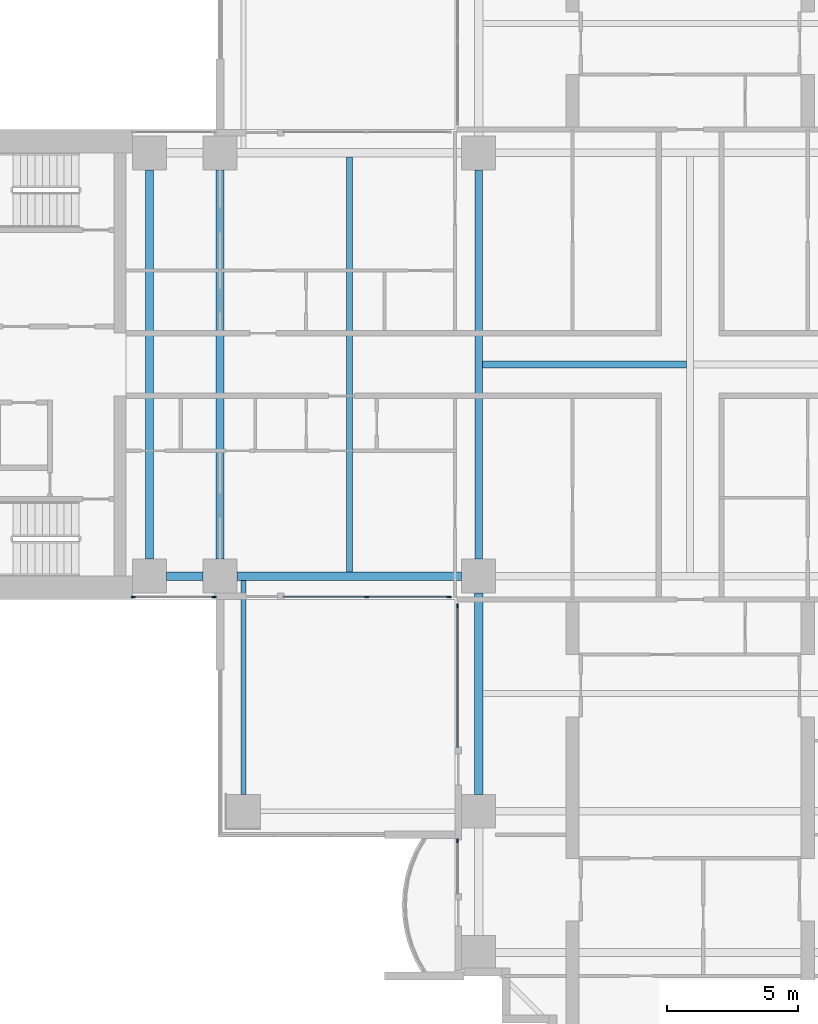
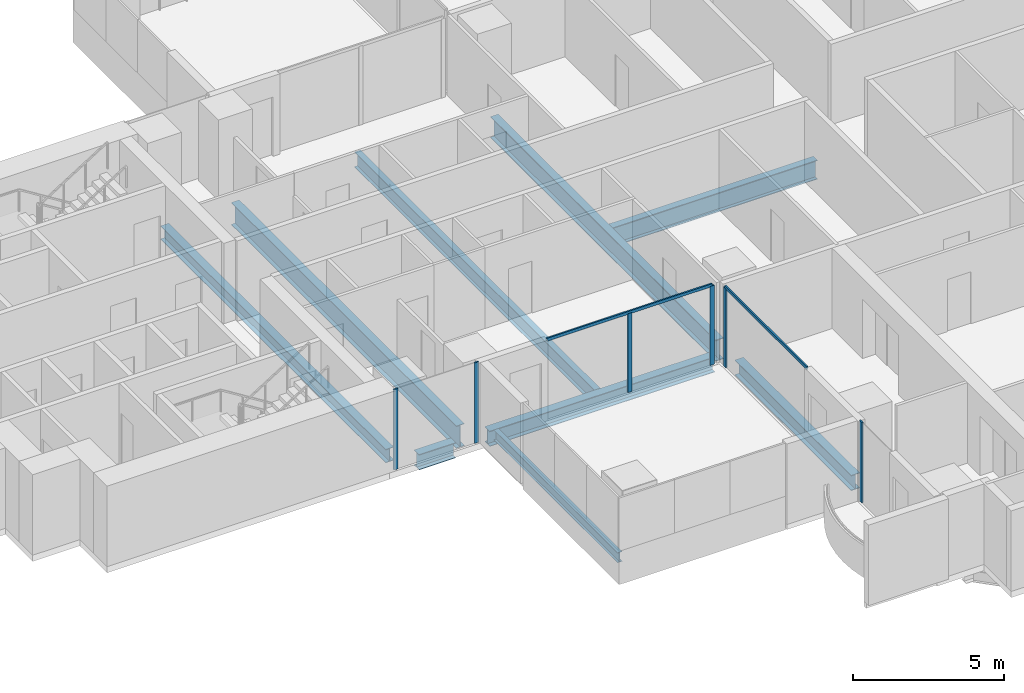
# One storey, part 2 of 20: 9 beams, 8 members, 4 elements without a shape of their own.
"""IFC4 building model written with IfcOpenShell, lengths in metres."""

from ifc_helpers import new_model, si_unit, direction, frame, origin, origin_2d, place, context, subcontext, project, spatial, rectangle, i_section, extrude, material, material_profile, profile_set, type_object, element, aggregate, save


model = new_model("IFC4")

# Units and contexts
model_context = context("Model", 3, precision=1e-05, world=origin(), true_north=direction((0.0, 1.0)))
body_context = subcontext(model_context, "Body", "Model", "MODEL_VIEW")
ifc_project = project(units=[si_unit("LENGTHUNIT", "METRE"), si_unit("AREAUNIT", "SQUARE_METRE"), si_unit("VOLUMEUNIT", "CUBIC_METRE"), si_unit("PLANEANGLEUNIT", "RADIAN"), si_unit("MASSUNIT", "GRAM", prefix="KILO")], contexts=[model_context])

# Site, building, storey
site_placement = place(None, origin())
site = spatial("IfcSite", under=ifc_project, at=site_placement, CompositionType="ELEMENT")
building_placement = place(site_placement, origin())
building = spatial("IfcBuilding", under=site, at=building_placement, Name="Perihelion Cross Residences", CompositionType="ELEMENT")
storey_placement = place(building_placement, frame((0.0, 0.0, 78.5)))
storey = spatial("IfcBuildingStorey", under=building, at=storey_placement, Name="L17", CompositionType="ELEMENT", Elevation=78.5)

# Curtain wall, members
ifc_material_1 = material(Name="Bronze anodised aluminium, tinted glazing", Category="aluminium")
curtain_wall_type = type_object("IfcCurtainWallType", Name="CW1", PredefinedType="NOTDEFINED", material=ifc_material_1)
curtain_wall_1_placement = place(storey_placement, origin())
curtain_wall_1 = element("IfcCurtainWall", 1, at=curtain_wall_1_placement, inside=storey, type_object=curtain_wall_type, Name="Curtain wall CW1 L17 west side south bay 1", PredefinedType="NOTDEFINED")
ifc_material_2 = material(Name="Bronze anodised aluminium", Category="aluminium")
ifc_material_profile_1 = material_profile(ifc_material_2, rectangle(XDim=0.06005859375, YDim=0.159912109375, at=origin_2d()), Name="CW1 mullion")
ifc_profile_set_1 = profile_set([ifc_material_profile_1], Name="Bronze anodised aluminium")
member_type_1 = type_object("IfcMemberType", Name="CW1 mullion", PredefinedType="MULLION", material=ifc_profile_set_1)
member_1_placement = place(storey_placement, frame((-21.320068359375, -8.89990234375, 0.0), z_axis=(0.0, 0.0, 1.0), x_axis=(0.0, 1.0, 0.0)))
member_1 = element("IfcMember", 2, at=member_1_placement, type_object=member_type_1, Name="CW1 mullion 1", PredefinedType="MULLION", context=body_context, shape_type="SweptSolid", body=[
    extrude(rectangle(XDim=0.06005859375, YDim=0.159912109375, at=origin_2d()), origin(), (0.0, 0.0, 1.0), 3.25),
])
member_2_placement = place(storey_placement, frame((-18.22998046875, -8.89990234375, 0.0), z_axis=(0.0, 0.0, 1.0), x_axis=(0.0, 1.0, 0.0)))
member_2 = element("IfcMember", 3, at=member_2_placement, type_object=member_type_1, Name="CW1 mullion 2", PredefinedType="MULLION", context=body_context, shape_type="SweptSolid", body=[
    extrude(rectangle(XDim=0.06005859375, YDim=0.159912109375, at=origin_2d()), origin(), (0.0, 0.0, 1.0), 3.25),
])
aggregate(curtain_wall_1, [member_1, member_2])

curtain_wall_2_placement = place(storey_placement, origin())
curtain_wall_2 = element("IfcCurtainWall", 4, at=curtain_wall_2_placement, inside=storey, type_object=curtain_wall_type, Name="Curtain wall CW1 L17 west side south bay 2", PredefinedType="NOTDEFINED")
member_3_placement = place(storey_placement, frame((-12.375, -8.89990234375, 0.0), z_axis=(0.0, 0.0, 1.0), x_axis=(0.0, 1.0, 0.0)))
member_3 = element("IfcMember", 5, at=member_3_placement, type_object=member_type_1, Name="CW1 mullion 2", PredefinedType="MULLION", context=body_context, shape_type="SweptSolid", body=[
    extrude(rectangle(XDim=0.06005859375, YDim=0.159912109375, at=origin_2d()), origin(), (0.0, 0.0, 1.0), 3.18994140625),
])
member_4_placement = place(storey_placement, frame((-9.22998046875, -8.89990234375, 0.0), z_axis=(0.0, 0.0, 1.0), x_axis=(0.0, 1.0, 0.0)))
member_4 = element("IfcMember", 6, at=member_4_placement, type_object=member_type_1, Name="CW1 mullion 3", PredefinedType="MULLION", context=body_context, shape_type="SweptSolid", body=[
    extrude(rectangle(XDim=0.06005859375, YDim=0.159912109375, at=origin_2d()), origin(), (0.0, 0.0, 1.0), 3.18994140625),
])

# Curtain wall, member
curtain_wall_3_placement = place(storey_placement, origin())
curtain_wall_3 = element("IfcCurtainWall", 7, at=curtain_wall_3_placement, inside=storey, type_object=curtain_wall_type, Name="Curtain wall CW1 L17 south side west bay 1", PredefinedType="NOTDEFINED")
member_5_placement = place(storey_placement, frame((-8.89990234375, -9.22998046875, 0.0), z_axis=(0.0, 0.0, 1.0), x_axis=(1.0, 0.0, 0.0)))
member_5 = element("IfcMember", 8, at=member_5_placement, type_object=member_type_1, Name="CW1 mullion 1", PredefinedType="MULLION", context=body_context, shape_type="SweptSolid", body=[
    extrude(rectangle(XDim=0.06005859375, YDim=0.159912109375, at=origin_2d()), origin(), (0.0, 0.0, 1.0), 3.18994140625),
])

curtain_wall_4_placement = place(storey_placement, origin())
curtain_wall_4 = element("IfcCurtainWall", 9, at=curtain_wall_4_placement, inside=storey, type_object=curtain_wall_type, Name="Curtain wall CW1 L17 south side west bay 2", PredefinedType="NOTDEFINED")
member_6_placement = place(storey_placement, frame((-8.89990234375, -18.22998046875, 0.0), z_axis=(0.0, 0.0, 1.0), x_axis=(1.0, 0.0, 0.0)))
member_6 = element("IfcMember", 10, at=member_6_placement, type_object=member_type_1, Name="CW1 mullion 1", PredefinedType="MULLION", context=body_context, shape_type="SweptSolid", body=[
    extrude(rectangle(XDim=0.06005859375, YDim=0.159912109375, at=origin_2d()), origin(), (0.0, 0.0, 1.0), 3.25),
])
aggregate(curtain_wall_4, [member_6])

# Member
ifc_material_3 = material(Name="Bronze anodised aluminium", Category="aluminium")
ifc_material_profile_2 = material_profile(ifc_material_3, rectangle(XDim=0.06005859375, YDim=0.1201171875, at=origin_2d()), Name="CW1 transom")
ifc_profile_set_2 = profile_set([ifc_material_profile_2], Name="Bronze anodised aluminium")
member_type_2 = type_object("IfcMemberType", Name="CW1 transom", PredefinedType="USERDEFINED", material=ifc_profile_set_2)
member_7_placement = place(storey_placement, frame((-15.550048828125, -8.89990234375, 3.219970703125), z_axis=(1.0, 0.0, 0.0), x_axis=(0.0, 1.0, 0.0)))
member_7 = element("IfcMember", 11, at=member_7_placement, type_object=member_type_2, Name="CW1 head transom", ObjectType="TRANSOM", PredefinedType="USERDEFINED", context=body_context, shape_type="SweptSolid", body=[
    extrude(rectangle(XDim=0.06005859375, YDim=0.1201171875, at=origin_2d()), origin(), (0.0, 0.0, 1.0), 6.320068359375),
])

aggregate(curtain_wall_2, [member_3, member_4, member_7])

member_8_placement = place(storey_placement, frame((-8.89990234375, -9.22998046875, 3.219970703125), z_axis=(0.0, -1.0, 0.0), x_axis=(1.0, 0.0, 0.0)))
member_8 = element("IfcMember", 12, at=member_8_placement, type_object=member_type_2, Name="CW1 head transom", ObjectType="TRANSOM", PredefinedType="USERDEFINED", context=body_context, shape_type="SweptSolid", body=[
    extrude(rectangle(XDim=0.06005859375, YDim=0.1201171875, at=origin_2d()), origin(), (0.0, 0.0, 1.0), 5.419921875),
])

aggregate(curtain_wall_3, [member_5, member_8])

# Beams
ifc_material_4 = material(Name="Steel S355", Category="steel")
ifc_material_profile_3 = material_profile(ifc_material_4, i_section(OverallWidth=0.177978515625, OverallDepth=0.406005859375, WebThickness=0.0078125, FlangeThickness=0.0126953125, at=origin_2d()), Name="W410x60")
ifc_profile_set_3 = profile_set([ifc_material_profile_3], Name="Steel S355")
beam_type_1 = type_object("IfcBeamType", Name="Core edge beam W410x60", PredefinedType="BEAM", material=ifc_profile_set_3)
beam_1_placement = place(storey_placement, frame((-17.10009765625, -8.262451171875, -0.452880859375), z_axis=(0.0, -1.0, 0.0), x_axis=(1.0, 0.0, 0.0)))
element("IfcBeam", 13, at=beam_1_placement, inside=storey, type_object=beam_type_1, Name="Core edge beam TB2 L17 corner no. 1", PredefinedType="BEAM", context=body_context, shape_type="SweptSolid", body=[
    extrude(i_section(OverallWidth=0.177978515625, OverallDepth=0.406005859375, WebThickness=0.0078125, FlangeThickness=0.0126953125, at=origin_2d()), origin(), (0.0, 0.0, 1.0), 8.1875),
])
ifc_material_5 = material(Name="Steel S355", Category="steel")
ifc_material_profile_4 = material_profile(ifc_material_5, i_section(OverallWidth=0.31201171875, OverallDepth=0.5439453125, WebThickness=0.0126953125, FlangeThickness=0.020263671875, at=origin_2d()), Name="W530x150")
ifc_profile_set_4 = profile_set([ifc_material_profile_4], Name="Steel S355")
beam_type_2 = type_object("IfcBeamType", Name="Core edge beam W530x150", PredefinedType="BEAM", material=ifc_profile_set_4)
beam_2_placement = place(storey_placement, frame((-20.699951171875, -7.449951171875, -0.52197265625), z_axis=(0.0, 1.0, 0.0), x_axis=(-1.0, 0.0, 0.0)))
element("IfcBeam", 14, at=beam_2_placement, inside=storey, type_object=beam_type_2, Name="Core edge beam TB4 L17 no. 1", PredefinedType="BEAM", context=body_context, shape_type="SweptSolid", body=[
    extrude(i_section(OverallWidth=0.31201171875, OverallDepth=0.5439453125, WebThickness=0.0126953125, FlangeThickness=0.020263671875, at=origin_2d()), origin(), (0.0, 0.0, 1.0), 14.89990234375),
])
ifc_material_6 = material(Name="Steel S355", Category="steel")
ifc_material_profile_5 = material_profile(ifc_material_6, i_section(OverallWidth=0.324951171875, OverallDepth=0.616943359375, WebThickness=0.013916015625, FlangeThickness=0.021484375, at=origin_2d()), Name="W610x174")
ifc_profile_set_5 = profile_set([ifc_material_profile_5], Name="Steel S355")
beam_type_3 = type_object("IfcBeamType", Name="Edge beam W610x174", PredefinedType="SPANDREL", material=ifc_profile_set_5)
beam_3_placement = place(storey_placement, frame((-20.050048828125, -8.10009765625, -0.55859375), z_axis=(1.0, 0.0, 0.0), x_axis=(0.0, 1.0, 0.0)))
element("IfcBeam", 15, at=beam_3_placement, inside=storey, type_object=beam_type_3, Name="Edge beam SB2 L17 no. 3", PredefinedType="SPANDREL", context=body_context, shape_type="SweptSolid", body=[
    extrude(i_section(OverallWidth=0.324951171875, OverallDepth=0.616943359375, WebThickness=0.013916015625, FlangeThickness=0.021484375, at=origin_2d()), origin(), (0.0, 0.0, 1.0), 1.400146484375),
])
beam_4_placement = place(storey_placement, frame((-17.35009765625, -8.10009765625, -0.55859375), z_axis=(1.0, 0.0, 0.0), x_axis=(0.0, 1.0, 0.0)))
element("IfcBeam", 16, at=beam_4_placement, inside=storey, type_object=beam_type_3, Name="Edge beam SB2 L17 no. 1", PredefinedType="SPANDREL", context=body_context, shape_type="SweptSolid", body=[
    extrude(i_section(OverallWidth=0.324951171875, OverallDepth=0.616943359375, WebThickness=0.013916015625, FlangeThickness=0.021484375, at=origin_2d()), origin(), (0.0, 0.0, 1.0), 8.60009765625),
])
beam_5_placement = place(storey_placement, frame((-8.10009765625, -8.75, -0.55859375), z_axis=(0.0, -1.0, 0.0), x_axis=(1.0, 0.0, 0.0)))
element("IfcBeam", 17, at=beam_5_placement, inside=storey, type_object=beam_type_3, Name="Edge beam SB2 L17 no. 6", PredefinedType="SPANDREL", context=body_context, shape_type="SweptSolid", body=[
    extrude(i_section(OverallWidth=0.324951171875, OverallDepth=0.616943359375, WebThickness=0.013916015625, FlangeThickness=0.021484375, at=origin_2d()), origin(), (0.0, 0.0, 1.0), 7.699951171875),
])
ifc_material_7 = material(Name="Steel S355", Category="steel")
ifc_material_profile_6 = material_profile(ifc_material_7, i_section(OverallWidth=0.304931640625, OverallDepth=0.904052734375, WebThickness=0.01513671875, FlangeThickness=0.02001953125, at=origin_2d()), Name="W920x201")
ifc_profile_set_6 = profile_set([ifc_material_profile_6], Name="Steel S355")
beam_type_4 = type_object("IfcBeamType", Name="Floor girder W920x201", PredefinedType="BEAM", material=ifc_profile_set_6)
beam_6_placement = place(storey_placement, frame((-18.0, -7.449951171875, -0.701904296875), z_axis=(0.0, 1.0, 0.0), x_axis=(-1.0, 0.0, 0.0)))
element("IfcBeam", 18, at=beam_6_placement, inside=storey, type_object=beam_type_4, Name="Girder G2 L17 no. 1", PredefinedType="BEAM", context=body_context, shape_type="SweptSolid", body=[
    extrude(i_section(OverallWidth=0.304931640625, OverallDepth=0.904052734375, WebThickness=0.01513671875, FlangeThickness=0.02001953125, at=origin_2d()), origin(), (0.0, 0.0, 1.0), 14.89990234375),
])
ifc_material_8 = material(Name="Steel S355", Category="steel")
ifc_material_profile_7 = material_profile(ifc_material_8, i_section(OverallWidth=0.22900390625, OverallDepth=0.612060546875, WebThickness=0.011962890625, FlangeThickness=0.01953125, at=origin_2d()), Name="W610x125")
ifc_profile_set_7 = profile_set([ifc_material_profile_7], Name="Steel S355")
beam_type_5 = type_object("IfcBeamType", Name="Floor joist W610x125", PredefinedType="JOIST", material=ifc_profile_set_7)
beam_7_placement = place(storey_placement, frame((-13.050048828125, -7.9375, -0.555908203125), z_axis=(0.0, 1.0, 0.0), x_axis=(-1.0, 0.0, 0.0)))
element("IfcBeam", 19, at=beam_7_placement, inside=storey, type_object=beam_type_5, Name="Joist J3 L17 no. 1", PredefinedType="JOIST", context=body_context, shape_type="SweptSolid", body=[
    extrude(i_section(OverallWidth=0.22900390625, OverallDepth=0.612060546875, WebThickness=0.011962890625, FlangeThickness=0.01953125, at=origin_2d()), origin(), (0.0, 0.0, 1.0), 15.875),
])
ifc_material_9 = material(Name="Steel S355", Category="steel")
ifc_material_profile_8 = material_profile(ifc_material_9, i_section(OverallWidth=0.26708984375, OverallDepth=0.77001953125, WebThickness=0.015625, FlangeThickness=0.025390625, at=origin_2d()), Name="W760x196")
ifc_profile_set_8 = profile_set([ifc_material_profile_8], Name="Steel S355")
beam_type_6 = type_object("IfcBeamType", Name="Hub cross beam W760x196", PredefinedType="BEAM", material=ifc_profile_set_8)
beam_8_placement = place(storey_placement, frame((-7.9541015625, 0.0, -0.635009765625), z_axis=(1.0, 0.0, 0.0), x_axis=(0.0, 1.0, 0.0)))
element("IfcBeam", 20, at=beam_8_placement, inside=storey, type_object=beam_type_6, Name="Hub cross beam XB2 L17 1 no. 1", PredefinedType="BEAM", context=body_context, shape_type="SweptSolid", body=[
    extrude(i_section(OverallWidth=0.26708984375, OverallDepth=0.77001953125, WebThickness=0.015625, FlangeThickness=0.025390625, at=origin_2d()), origin(), (0.0, 0.0, 1.0), 7.820556640625),
])
ifc_material_10 = material(Name="Steel S355", Category="steel")
ifc_material_profile_9 = material_profile(ifc_material_10, i_section(OverallWidth=0.2919921875, OverallDepth=0.85888671875, WebThickness=0.01708984375, FlangeThickness=0.031005859375, at=origin_2d()), Name="W840x251")
ifc_profile_set_9 = profile_set([ifc_material_profile_9], Name="Steel S355")
beam_type_7 = type_object("IfcBeamType", Name="Hub ring girder W840x251", PredefinedType="BEAM", material=ifc_profile_set_9)
beam_9_placement = place(storey_placement, frame((-8.10009765625, 7.449951171875, -0.679443359375), z_axis=(0.0, -1.0, 0.0), x_axis=(1.0, 0.0, 0.0)))
element("IfcBeam", 21, at=beam_9_placement, inside=storey, type_object=beam_type_7, Name="Hub ring girder RG2 L17 no. 2", PredefinedType="BEAM", context=body_context, shape_type="SweptSolid", body=[
    extrude(i_section(OverallWidth=0.2919921875, OverallDepth=0.85888671875, WebThickness=0.01708984375, FlangeThickness=0.031005859375, at=origin_2d()), origin(), (0.0, 0.0, 1.0), 14.89990234375),
])

save(model, "model.ifc")
